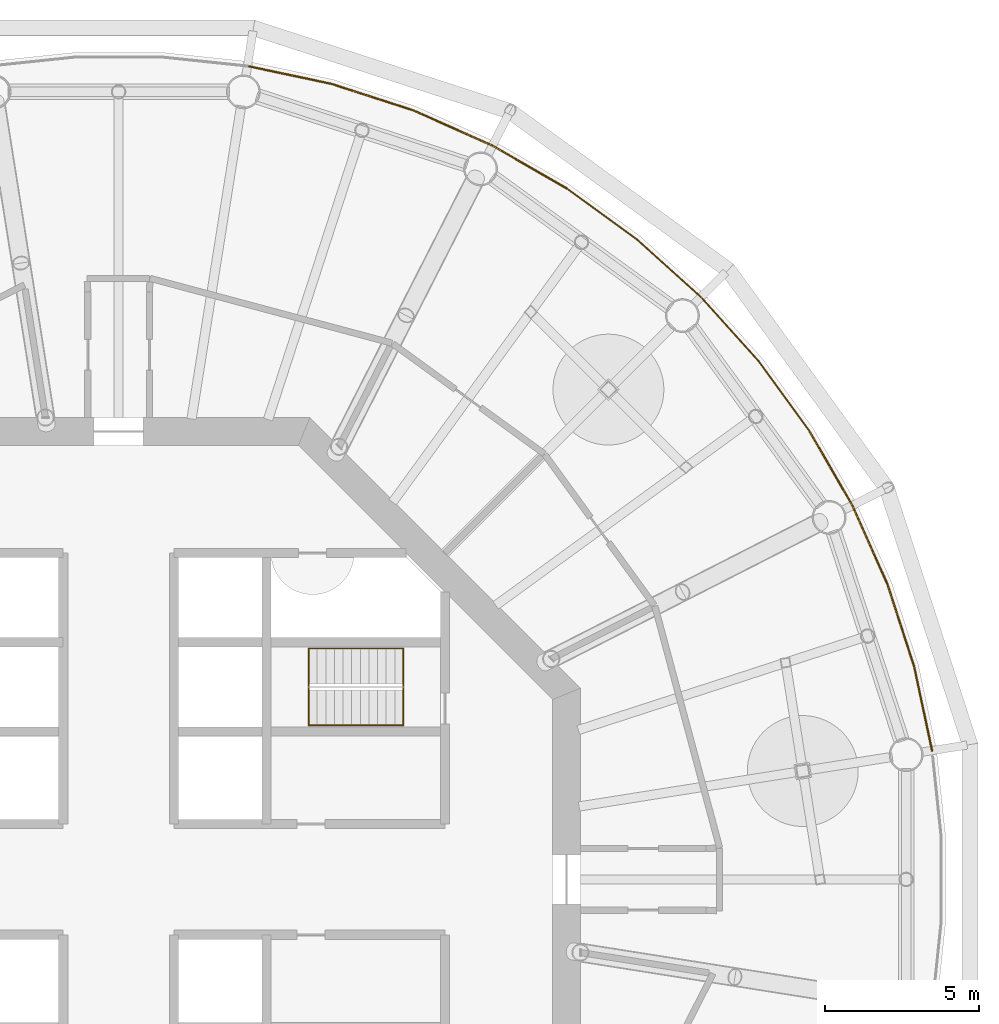
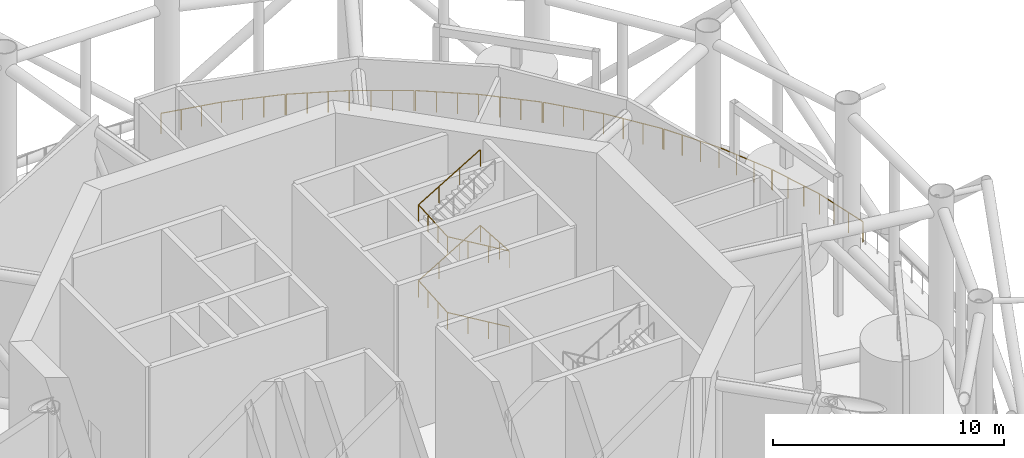
# One storey, part 21 of 22: 7 railings.
"""IFC4 building model written with IfcOpenShell, lengths in metres."""

from ifc_helpers import new_model, si_unit, direction, frame, origin, origin_2d, place, context, subcontext, project, spatial, circle, extrude, material, type_object, element, save


model = new_model("IFC4")

# Units and contexts
model_context = context("Model", 3, precision=1e-05, world=origin(), true_north=direction((0.0, 1.0)))
body_context = subcontext(model_context, "Body", "Model", "MODEL_VIEW")
ifc_project = project(units=[si_unit("LENGTHUNIT", "METRE"), si_unit("AREAUNIT", "SQUARE_METRE"), si_unit("VOLUMEUNIT", "CUBIC_METRE"), si_unit("PLANEANGLEUNIT", "RADIAN"), si_unit("MASSUNIT", "GRAM", prefix="KILO")], contexts=[model_context])

# Site, building, storey
site_placement = place(None, origin())
site = spatial("IfcSite", under=ifc_project, at=site_placement, CompositionType="ELEMENT")
building_placement = place(site_placement, origin())
building = spatial("IfcBuilding", under=site, at=building_placement, Name="Entoto Ring Tower", CompositionType="ELEMENT")
storey_placement = place(building_placement, frame((0.0, 0.0, 230.0)))
storey = spatial("IfcBuildingStorey", under=building, at=storey_placement, Name="L53", CompositionType="ELEMENT", Elevation=230.0)

# Railings
ifc_material_1 = material(Name="Stainless steel 316", Category="steel")
railing_type_1 = type_object("IfcRailingType", Name="Guard 1100 mm steel balustrade, slot floor", PredefinedType="GUARDRAIL", material=ifc_material_1)
railing_1_placement = place(storey_placement, frame((116.420654296875, 84.1845703125, 0.0)))
element("IfcRailing", 1, at=railing_1_placement, inside=storey, type_object=railing_type_1, Name="SLOT FLOOR GUARD 1", PredefinedType="GUARDRAIL", context=body_context, shape_type="SweptSolid", body=[
    extrude(circle(Radius=0.02490234375, at=origin_2d()), frame((0.0, 0.0, 1.0751953125), z_axis=(-0.207873355681, 0.978155748334, 0.0), x_axis=(-0.978155748334, -0.207873355681, 0.0)), (0.0, 0.0, 1.0), 2.800048828125),
    extrude(circle(Radius=0.02490234375, at=origin_2d()), frame((-0.58203125, 2.73876953125, 1.0751953125), z_axis=(-0.309082043016, 0.951035378251, 0.0), x_axis=(-0.951035378251, -0.309082043016, 0.0)), (0.0, 0.0, 1.0), 2.740234375),
    extrude(circle(Radius=0.02490234375, at=origin_2d()), origin(), (0.0, 0.0, 1.0), 1.050048828125),
    extrude(circle(Radius=0.02490234375, at=origin_2d()), frame((-0.194091796875, 0.912841796875, 0.0)), (0.0, 0.0, 1.0), 1.050048828125),
    extrude(circle(Radius=0.02490234375, at=origin_2d()), frame((-0.387939453125, 1.825927734375, 0.0)), (0.0, 0.0, 1.0), 1.050048828125),
    extrude(circle(Radius=0.02490234375, at=origin_2d()), frame((-0.58203125, 2.73876953125, 0.0)), (0.0, 0.0, 1.0), 1.050048828125),
    extrude(circle(Radius=0.02490234375, at=origin_2d()), frame((-0.8642578125, 3.607421875, 0.0)), (0.0, 0.0, 1.0), 1.050048828125),
    extrude(circle(Radius=0.02490234375, at=origin_2d()), frame((-1.146728515625, 4.47607421875, 0.0)), (0.0, 0.0, 1.0), 1.050048828125),
    extrude(circle(Radius=0.02490234375, at=origin_2d()), frame((-1.428955078125, 5.3447265625, 0.0)), (0.0, 0.0, 1.0), 1.050048828125),
])
railing_2_placement = place(storey_placement, frame((114.973388671875, 89.58642578125, 0.0)))
element("IfcRailing", 2, at=railing_2_placement, inside=storey, type_object=railing_type_1, Name="SLOT FLOOR GUARD 2", PredefinedType="GUARDRAIL", context=body_context, shape_type="SweptSolid", body=[
    extrude(circle(Radius=0.02490234375, at=origin_2d()), frame((0.0, 0.0, 1.0751953125), z_axis=(-0.406761316386, 0.913534471978, 0.0), x_axis=(-0.913534471978, -0.406761316386, 0.0)), (0.0, 0.0, 1.0), 2.800048828125),
    extrude(circle(Radius=0.02490234375, at=origin_2d()), frame((-1.138916015625, 2.557861328125, 1.0751953125), z_axis=(-0.500048966069, 0.865997131366, 0.0), x_axis=(-0.865997131366, -0.500048966069, 0.0)), (0.0, 0.0, 1.0), 2.739990234375),
    extrude(circle(Radius=0.02490234375, at=origin_2d()), origin(), (0.0, 0.0, 1.0), 1.050048828125),
    extrude(circle(Radius=0.02490234375, at=origin_2d()), frame((-0.379638671875, 0.8525390625, 0.0)), (0.0, 0.0, 1.0), 1.050048828125),
    extrude(circle(Radius=0.02490234375, at=origin_2d()), frame((-0.75927734375, 1.705322265625, 0.0)), (0.0, 0.0, 1.0), 1.050048828125),
    extrude(circle(Radius=0.02490234375, at=origin_2d()), frame((-1.138916015625, 2.557861328125, 0.0)), (0.0, 0.0, 1.0), 1.050048828125),
    extrude(circle(Radius=0.02490234375, at=origin_2d()), frame((-1.595703125, 3.348876953125, 0.0)), (0.0, 0.0, 1.0), 1.050048828125),
    extrude(circle(Radius=0.02490234375, at=origin_2d()), frame((-2.05224609375, 4.1396484375, 0.0)), (0.0, 0.0, 1.0), 1.050048828125),
    extrude(circle(Radius=0.02490234375, at=origin_2d()), frame((-2.509033203125, 4.9306640625, 0.0)), (0.0, 0.0, 1.0), 1.050048828125),
])
railing_3_placement = place(storey_placement, frame((112.434326171875, 94.569091796875, 0.0)))
element("IfcRailing", 3, at=railing_3_placement, inside=storey, type_object=railing_type_1, Name="SLOT FLOOR GUARD 3", PredefinedType="GUARDRAIL", context=body_context, shape_type="SweptSolid", body=[
    extrude(circle(Radius=0.02490234375, at=origin_2d()), frame((0.0, 0.0, 1.0751953125), z_axis=(-0.587793152327, 0.809011254605, 0.0), x_axis=(-0.809011254605, -0.587793152327, 0.0)), (0.0, 0.0, 1.0), 2.7998046875),
    extrude(circle(Radius=0.02490234375, at=origin_2d()), frame((-1.645751953125, 2.26513671875, 1.0751953125), z_axis=(-0.669068103347, 0.743201098683, 0.0), x_axis=(-0.743201098683, -0.669068103347, 0.0)), (0.0, 0.0, 1.0), 2.739990234375),
    extrude(circle(Radius=0.02490234375, at=origin_2d()), origin(), (0.0, 0.0, 1.0), 1.050048828125),
    extrude(circle(Radius=0.02490234375, at=origin_2d()), frame((-0.548583984375, 0.755126953125, 0.0)), (0.0, 0.0, 1.0), 1.050048828125),
    extrude(circle(Radius=0.02490234375, at=origin_2d()), frame((-1.09716796875, 1.510009765625, 0.0)), (0.0, 0.0, 1.0), 1.050048828125),
    extrude(circle(Radius=0.02490234375, at=origin_2d()), frame((-1.645751953125, 2.26513671875, 0.0)), (0.0, 0.0, 1.0), 1.050048828125),
    extrude(circle(Radius=0.02490234375, at=origin_2d()), frame((-2.2568359375, 2.94384765625, 0.0)), (0.0, 0.0, 1.0), 1.050048828125),
    extrude(circle(Radius=0.02490234375, at=origin_2d()), frame((-2.867919921875, 3.622802734375, 0.0)), (0.0, 0.0, 1.0), 1.050048828125),
    extrude(circle(Radius=0.02490234375, at=origin_2d()), frame((-3.47900390625, 4.301513671875, 0.0)), (0.0, 0.0, 1.0), 1.050048828125),
])
railing_4_placement = place(storey_placement, frame((108.9150390625, 98.9150390625, 0.0)))
element("IfcRailing", 4, at=railing_4_placement, inside=storey, type_object=railing_type_1, Name="SLOT FLOOR GUARD 4", PredefinedType="GUARDRAIL", context=body_context, shape_type="SweptSolid", body=[
    extrude(circle(Radius=0.02490234375, at=origin_2d()), frame((0.0, 0.0, 1.0751953125), z_axis=(-0.743151054666, 0.66912368808, 0.0), x_axis=(-0.66912368808, -0.743151054666, 0.0)), (0.0, 0.0, 1.0), 2.800048828125),
    extrude(circle(Radius=0.02490234375, at=origin_2d()), frame((-2.080810546875, 1.87353515625, 1.0751953125), z_axis=(-0.808986468951, 0.58782726464, 0.0), x_axis=(-0.58782726464, -0.808986468951, 0.0)), (0.0, 0.0, 1.0), 2.739990234375),
    extrude(circle(Radius=0.02490234375, at=origin_2d()), origin(), (0.0, 0.0, 1.0), 1.050048828125),
    extrude(circle(Radius=0.02490234375, at=origin_2d()), frame((-0.693603515625, 0.62451171875, 0.0)), (0.0, 0.0, 1.0), 1.050048828125),
    extrude(circle(Radius=0.02490234375, at=origin_2d()), frame((-1.38720703125, 1.2490234375, 0.0)), (0.0, 0.0, 1.0), 1.050048828125),
    extrude(circle(Radius=0.02490234375, at=origin_2d()), frame((-2.080810546875, 1.87353515625, 0.0)), (0.0, 0.0, 1.0), 1.050048828125),
    extrude(circle(Radius=0.02490234375, at=origin_2d()), frame((-2.819580078125, 2.410400390625, 0.0)), (0.0, 0.0, 1.0), 1.050048828125),
    extrude(circle(Radius=0.02490234375, at=origin_2d()), frame((-3.55859375, 2.947265625, 0.0)), (0.0, 0.0, 1.0), 1.050048828125),
    extrude(circle(Radius=0.02490234375, at=origin_2d()), frame((-4.29736328125, 3.484130859375, 0.0)), (0.0, 0.0, 1.0), 1.050048828125),
])
railing_5_placement = place(storey_placement, frame((104.569091796875, 102.434326171875, 0.0)))
element("IfcRailing", 5, at=railing_5_placement, inside=storey, type_object=railing_type_1, Name="SLOT FLOOR GUARD 5", PredefinedType="GUARDRAIL", context=body_context, shape_type="SweptSolid", body=[
    extrude(circle(Radius=0.02490234375, at=origin_2d()), frame((0.0, 0.0, 1.0751953125), z_axis=(-0.865996816683, 0.500049511043, 0.0), x_axis=(-0.500049511043, -0.865996816683, 0.0)), (0.0, 0.0, 1.0), 2.800048828125),
    extrude(circle(Radius=0.02490234375, at=origin_2d()), frame((-2.4248046875, 1.400146484375, 1.0751953125), z_axis=(-0.913543130543, 0.406741869787, 0.0), x_axis=(-0.406741869787, -0.913543130543, 0.0)), (0.0, 0.0, 1.0), 2.739990234375),
    extrude(circle(Radius=0.02490234375, at=origin_2d()), origin(), (0.0, 0.0, 1.0), 1.050048828125),
    extrude(circle(Radius=0.02490234375, at=origin_2d()), frame((-0.808349609375, 0.466796875, 0.0)), (0.0, 0.0, 1.0), 1.050048828125),
    extrude(circle(Radius=0.02490234375, at=origin_2d()), frame((-1.616455078125, 0.933349609375, 0.0)), (0.0, 0.0, 1.0), 1.050048828125),
    extrude(circle(Radius=0.02490234375, at=origin_2d()), frame((-2.4248046875, 1.400146484375, 0.0)), (0.0, 0.0, 1.0), 1.050048828125),
    extrude(circle(Radius=0.02490234375, at=origin_2d()), frame((-3.25927734375, 1.771728515625, 0.0)), (0.0, 0.0, 1.0), 1.050048828125),
    extrude(circle(Radius=0.02490234375, at=origin_2d()), frame((-4.093505859375, 2.14306640625, 0.0)), (0.0, 0.0, 1.0), 1.050048828125),
    extrude(circle(Radius=0.02490234375, at=origin_2d()), frame((-4.927978515625, 2.5146484375, 0.0)), (0.0, 0.0, 1.0), 1.050048828125),
])
railing_6_placement = place(storey_placement, frame((99.58642578125, 104.973388671875, 0.0)))
element("IfcRailing", 6, at=railing_6_placement, inside=storey, type_object=railing_type_1, Name="SLOT FLOOR GUARD 6", PredefinedType="GUARDRAIL", context=body_context, shape_type="SweptSolid", body=[
    extrude(circle(Radius=0.02490234375, at=origin_2d()), frame((0.0, 0.0, 1.0751953125), z_axis=(-0.951062257173, 0.308999325213, 0.0), x_axis=(-0.308999325213, -0.951062257173, 0.0)), (0.0, 0.0, 1.0), 2.800048828125),
    extrude(circle(Radius=0.02490234375, at=origin_2d()), frame((-2.6630859375, 0.865234375, 1.0751953125), z_axis=(-0.978151829796, 0.207891793652, 0.0), x_axis=(-0.207891793652, -0.978151829796, 0.0)), (0.0, 0.0, 1.0), 2.73974609375),
    extrude(circle(Radius=0.02490234375, at=origin_2d()), origin(), (0.0, 0.0, 1.0), 1.050048828125),
    extrude(circle(Radius=0.02490234375, at=origin_2d()), frame((-0.8876953125, 0.288330078125, 0.0)), (0.0, 0.0, 1.0), 1.050048828125),
    extrude(circle(Radius=0.02490234375, at=origin_2d()), frame((-1.775390625, 0.576904296875, 0.0)), (0.0, 0.0, 1.0), 1.050048828125),
    extrude(circle(Radius=0.02490234375, at=origin_2d()), frame((-2.6630859375, 0.865234375, 0.0)), (0.0, 0.0, 1.0), 1.050048828125),
    extrude(circle(Radius=0.02490234375, at=origin_2d()), frame((-3.556396484375, 1.05517578125, 0.0)), (0.0, 0.0, 1.0), 1.050048828125),
    extrude(circle(Radius=0.02490234375, at=origin_2d()), frame((-4.44970703125, 1.244873046875, 0.0)), (0.0, 0.0, 1.0), 1.050048828125),
    extrude(circle(Radius=0.02490234375, at=origin_2d()), frame((-5.343017578125, 1.434814453125, 0.0)), (0.0, 0.0, 1.0), 1.050048828125),
])
ifc_material_2 = material(Name="Steel S275", Category="steel")
railing_type_2 = type_object("IfcRailingType", Name="Stair handrail 900 mm steel", PredefinedType="HANDRAIL", material=ifc_material_2)
railing_7_placement = place(storey_placement, frame((99.25, 85.0, 0.166748046875)))
element("IfcRailing", 7, at=railing_7_placement, inside=storey, type_object=railing_type_2, Name="Handrail ST1", PredefinedType="HANDRAIL", context=body_context, shape_type="SweptSolid", body=[
    extrude(circle(Radius=0.02392578125, at=origin_2d()), frame((0.0, 0.0, 0.8759765625), z_axis=(-0.859308565015, 0.0, 0.511457515432), x_axis=(0.0, -1.0, 0.0)), (0.0, 0.0, 1.0), 3.58447265625),
    extrude(circle(Radius=0.02392578125, at=origin_2d()), frame((-3.080078125, 0.0, 2.708984375), z_axis=(0.0, 0.997783001586, 0.066551346688), x_axis=(-1.0, 0.0, 0.0)), (0.0, 0.0, 1.0), 2.505615234375),
    extrude(circle(Radius=0.02392578125, at=origin_2d()), frame((-3.080078125, 2.5, 2.8759765625), z_axis=(0.859308565015, 0.0, 0.511457515432), x_axis=(0.0, 1.0, 0.0)), (0.0, 0.0, 1.0), 3.58447265625),
    extrude(circle(Radius=0.02392578125, at=origin_2d()), frame((0.0, 2.5, 4.708984375), z_axis=(0.0, -0.997783001586, 0.066551346688), x_axis=(1.0, 0.0, 0.0)), (0.0, 0.0, 1.0), 2.505615234375),
    extrude(circle(Radius=0.02392578125, at=origin_2d()), frame((0.0, 0.0, 4.8759765625), z_axis=(-0.859308565015, 0.0, 0.511457515432), x_axis=(0.0, -1.0, 0.0)), (0.0, 0.0, 1.0), 3.58447265625),
    extrude(circle(Radius=0.02392578125, at=origin_2d()), frame((-3.080078125, 0.0, 6.708984375), z_axis=(0.0, 0.997783001586, 0.066551346688), x_axis=(-1.0, 0.0, 0.0)), (0.0, 0.0, 1.0), 2.505615234375),
    extrude(circle(Radius=0.02392578125, at=origin_2d()), frame((-3.080078125, 2.5, 6.8759765625), z_axis=(0.859308565015, 0.0, 0.511457515432), x_axis=(0.0, 1.0, 0.0)), (0.0, 0.0, 1.0), 3.58447265625),
    extrude(circle(Radius=0.02099609375, at=origin_2d()), origin(), (0.0, 0.0, 1.0), 0.851806640625),
    extrude(circle(Radius=0.02099609375, at=origin_2d()), frame((-1.026611328125, 0.0, 0.611083984375)), (0.0, 0.0, 1.0), 0.851806640625),
    extrude(circle(Radius=0.02099609375, at=origin_2d()), frame((-2.053466796875, 0.0, 1.22216796875)), (0.0, 0.0, 1.0), 0.851806640625),
    extrude(circle(Radius=0.02099609375, at=origin_2d()), frame((-3.080078125, 0.0, 1.833251953125)), (0.0, 0.0, 1.0), 0.851806640625),
    extrude(circle(Radius=0.02099609375, at=origin_2d()), frame((-3.080078125, 0.833251953125, 1.888916015625)), (0.0, 0.0, 1.0), 0.851806640625),
    extrude(circle(Radius=0.02099609375, at=origin_2d()), frame((-3.080078125, 1.666748046875, 1.9443359375)), (0.0, 0.0, 1.0), 0.851806640625),
    extrude(circle(Radius=0.02099609375, at=origin_2d()), frame((-3.080078125, 2.5, 2.0)), (0.0, 0.0, 1.0), 0.851806640625),
    extrude(circle(Radius=0.02099609375, at=origin_2d()), frame((-2.053466796875, 2.5, 2.611083984375)), (0.0, 0.0, 1.0), 0.851806640625),
    extrude(circle(Radius=0.02099609375, at=origin_2d()), frame((-1.026611328125, 2.5, 3.22216796875)), (0.0, 0.0, 1.0), 0.851806640625),
    extrude(circle(Radius=0.02099609375, at=origin_2d()), frame((0.0, 2.5, 3.833251953125)), (0.0, 0.0, 1.0), 0.851806640625),
    extrude(circle(Radius=0.02099609375, at=origin_2d()), frame((0.0, 1.666748046875, 3.888916015625)), (0.0, 0.0, 1.0), 0.851806640625),
    extrude(circle(Radius=0.02099609375, at=origin_2d()), frame((0.0, 0.833251953125, 3.9443359375)), (0.0, 0.0, 1.0), 0.851806640625),
    extrude(circle(Radius=0.02099609375, at=origin_2d()), frame((0.0, 0.0, 4.0)), (0.0, 0.0, 1.0), 0.851806640625),
    extrude(circle(Radius=0.02099609375, at=origin_2d()), frame((-1.026611328125, 0.0, 4.611083984375)), (0.0, 0.0, 1.0), 0.851806640625),
    extrude(circle(Radius=0.02099609375, at=origin_2d()), frame((-2.053466796875, 0.0, 5.22216796875)), (0.0, 0.0, 1.0), 0.851806640625),
    extrude(circle(Radius=0.02099609375, at=origin_2d()), frame((-3.080078125, 0.0, 5.833251953125)), (0.0, 0.0, 1.0), 0.851806640625),
    extrude(circle(Radius=0.02099609375, at=origin_2d()), frame((-3.080078125, 0.833251953125, 5.888916015625)), (0.0, 0.0, 1.0), 0.851806640625),
    extrude(circle(Radius=0.02099609375, at=origin_2d()), frame((-3.080078125, 1.666748046875, 5.9443359375)), (0.0, 0.0, 1.0), 0.851806640625),
    extrude(circle(Radius=0.02099609375, at=origin_2d()), frame((-3.080078125, 2.5, 6.0)), (0.0, 0.0, 1.0), 0.851806640625),
    extrude(circle(Radius=0.02099609375, at=origin_2d()), frame((-2.053466796875, 2.5, 6.611083984375)), (0.0, 0.0, 1.0), 0.851806640625),
    extrude(circle(Radius=0.02099609375, at=origin_2d()), frame((-1.026611328125, 2.5, 7.22216796875)), (0.0, 0.0, 1.0), 0.851806640625),
    extrude(circle(Radius=0.02099609375, at=origin_2d()), frame((0.0, 2.5, 7.833251953125)), (0.0, 0.0, 1.0), 0.851806640625),
])

save(model, "model.ifc")
